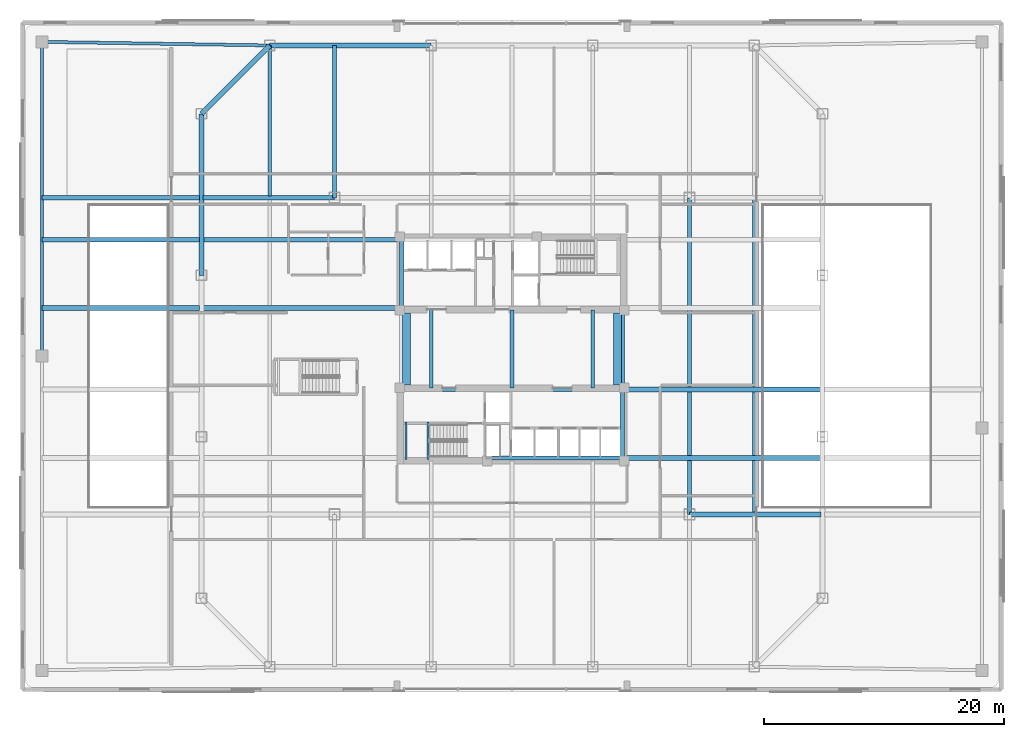
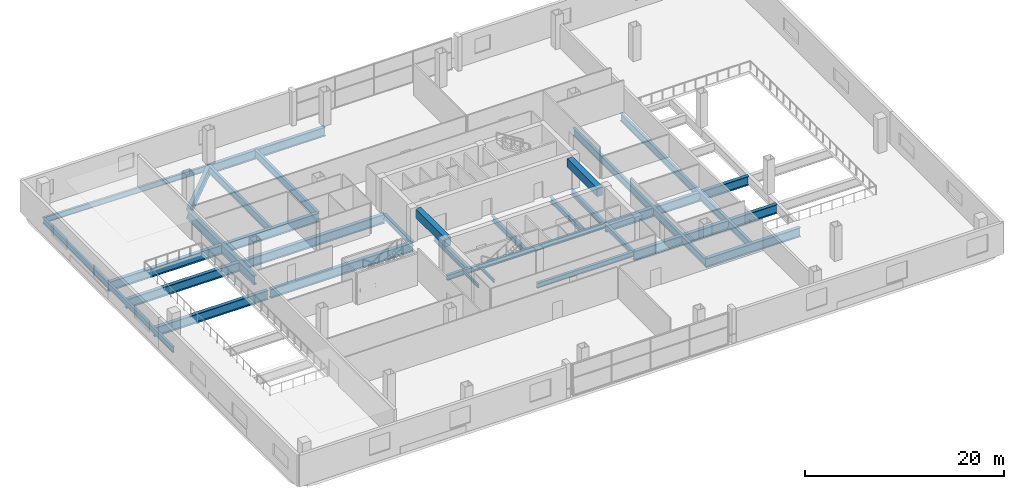
# One storey, part 7 of 21: 30 beams.
"""IFC4 building model written with IfcOpenShell, lengths in metres."""

from ifc_helpers import new_model, si_unit, direction, frame, origin, origin_2d, place, context, subcontext, project, spatial, rectangle, i_section, extrude, material, material_profile, profile_set, type_object, element, save


model = new_model("IFC4")

# Units and contexts
model_context = context("Model", 3, precision=1e-05, world=origin(), true_north=direction((0.0, 1.0)))
body_context = subcontext(model_context, "Body", "Model", "MODEL_VIEW")
ifc_project = project(units=[si_unit("LENGTHUNIT", "METRE"), si_unit("AREAUNIT", "SQUARE_METRE"), si_unit("VOLUMEUNIT", "CUBIC_METRE"), si_unit("PLANEANGLEUNIT", "RADIAN"), si_unit("MASSUNIT", "GRAM", prefix="KILO")], contexts=[model_context])

# Site, building, storey
site_placement = place(None, origin())
site = spatial("IfcSite", under=ifc_project, at=site_placement, CompositionType="ELEMENT")
building_placement = place(site_placement, origin())
building = spatial("IfcBuilding", under=site, at=building_placement, Name="Qhalaya Broadcast Tower", CompositionType="ELEMENT")
storey_placement = place(building_placement, frame((0.0, 0.0, 9.300048828125)))
storey = spatial("IfcBuildingStorey", under=building, at=storey_placement, Name="L02", CompositionType="ELEMENT", Elevation=9.300048828125)

# Beams
ifc_material_1 = material(Name="Structural Steel ASTM A992 Grade 50", Category="steel")
ifc_material_profile_1 = material_profile(ifc_material_1, i_section(OverallWidth=0.323974609375, OverallDepth=0.612060546875, WebThickness=0.0126953125, FlangeThickness=0.01904296875, at=origin_2d()), Name="W24X104")
ifc_profile_set_1 = profile_set([ifc_material_profile_1], Name="Structural Steel ASTM A992 Grade 50")
beam_type_1 = type_object("IfcBeamType", Name="Core Frame Tie Beam B04", PredefinedType="BEAM", material=ifc_profile_set_1)
beam_1_placement = place(storey_placement, frame((-9.199951171875, 4.0, -0.6259765625), z_axis=(0.0, 1.0, 0.0), x_axis=(-1.0, 0.0, 0.0)))
element("IfcBeam", 1, at=beam_1_placement, inside=storey, type_object=beam_type_1, Name="L02 B04 L02-CCN2", PredefinedType="BEAM", context=body_context, shape_type="SweptSolid", body=[
    extrude(i_section(OverallWidth=0.323974609375, OverallDepth=0.612060546875, WebThickness=0.0126953125, FlangeThickness=0.01904296875, at=origin_2d()), origin(), (0.0, 0.0, 1.0), 5.699951171875),
])
beam_2_placement = place(storey_placement, frame((-9.199951171875, -2.800048828125, -0.6259765625), z_axis=(1.0, 0.0, 0.0), x_axis=(0.0, 1.0, 0.0)))
element("IfcBeam", 2, at=beam_2_placement, inside=storey, type_object=beam_type_1, Name="L02 B04 L02-CCS1", PredefinedType="BEAM", context=body_context, shape_type="SweptSolid", body=[
    extrude(i_section(OverallWidth=0.323974609375, OverallDepth=0.612060546875, WebThickness=0.0126953125, FlangeThickness=0.01904296875, at=origin_2d()), origin(), (0.0, 0.0, 1.0), 18.39990234375),
])
beam_3_placement = place(storey_placement, frame((9.199951171875, -8.5, -0.6259765625), z_axis=(0.0, 1.0, 0.0), x_axis=(-1.0, 0.0, 0.0)))
element("IfcBeam", 3, at=beam_3_placement, inside=storey, type_object=beam_type_1, Name="L02 B04 L02-CCS2", PredefinedType="BEAM", context=body_context, shape_type="SweptSolid", body=[
    extrude(i_section(OverallWidth=0.323974609375, OverallDepth=0.612060546875, WebThickness=0.0126953125, FlangeThickness=0.01904296875, at=origin_2d()), origin(), (0.0, 0.0, 1.0), 5.699951171875),
])
beam_4_placement = place(storey_placement, frame((-2.050048828125, -8.5, -0.6259765625), z_axis=(1.0, 0.0, 0.0), x_axis=(0.0, 1.0, 0.0)))
element("IfcBeam", 4, at=beam_4_placement, inside=storey, type_object=beam_type_1, Name="L02 B04 L02-CCS3", PredefinedType="BEAM", context=body_context, shape_type="SweptSolid", body=[
    extrude(i_section(OverallWidth=0.323974609375, OverallDepth=0.612060546875, WebThickness=0.0126953125, FlangeThickness=0.01904296875, at=origin_2d()), origin(), (0.0, 0.0, 1.0), 11.25),
])
beam_5_placement = place(storey_placement, frame((9.199951171875, -2.800048828125, -0.6259765625), z_axis=(0.0, 1.0, 0.0), x_axis=(-1.0, 0.0, 0.0)))
element("IfcBeam", 5, at=beam_5_placement, inside=storey, type_object=beam_type_1, Name="L02 B04 L02-CCE", PredefinedType="BEAM", context=body_context, shape_type="SweptSolid", body=[
    extrude(i_section(OverallWidth=0.323974609375, OverallDepth=0.612060546875, WebThickness=0.0126953125, FlangeThickness=0.01904296875, at=origin_2d()), origin(), (0.0, 0.0, 1.0), 6.800048828125),
])
for number, where, z_axis, x_axis, name in (
    (6, (-6.7333984375, -2.64990234375, -0.6259765625), (0.0, 1.0, 0.0), (-1.0, 0.0, 0.0), "L02 B04 L02-JS-CM-6.7"),
    (7, (0.0, -2.64990234375, -0.6259765625), (0.0, 1.0, 0.0), (-1.0, 0.0, 0.0), "L02 B04 L02-JS-CM+0.0"),
    (8, (6.7333984375, -2.64990234375, -0.6259765625), (0.0, 1.0, 0.0), (-1.0, 0.0, 0.0), "L02 B04 L02-JS-CM+6.7"),
):
    element("IfcBeam", number, at=place(storey_placement, frame(where, z_axis=z_axis, x_axis=x_axis)), inside=storey, type_object=beam_type_1, Name=name, PredefinedType="BEAM", context=body_context, shape_type="SweptSolid", body=[
        extrude(i_section(OverallWidth=0.323974609375, OverallDepth=0.612060546875, WebThickness=0.0126953125, FlangeThickness=0.01904296875, at=origin_2d()), origin(), (0.0, 0.0, 1.0), 6.5),
    ])
ifc_material_profile_2 = material_profile(ifc_material_1, i_section(OverallWidth=0.306884765625, OverallDepth=0.927001953125, WebThickness=0.019287109375, FlangeThickness=0.031982421875, at=origin_2d()), Name="W36X194")
ifc_profile_set_2 = profile_set([ifc_material_profile_2], Name="Structural Steel ASTM A992 Grade 50")
beam_type_2 = type_object("IfcBeamType", Name="Heavy Studio Floor Beam B01", PredefinedType="BEAM", material=ifc_profile_set_2)
beam_6_placement = place(storey_placement, frame((-20.199951171875, 13.340087890625, -0.783447265625), z_axis=(0.0, 1.0, 0.0), x_axis=(-1.0, 0.0, 0.0)))
element("IfcBeam", 9, at=beam_6_placement, inside=storey, type_object=beam_type_2, Name="L02 B01 L02-JS-N-20.2", PredefinedType="BEAM", context=body_context, shape_type="SweptSolid", body=[
    extrude(i_section(OverallWidth=0.306884765625, OverallDepth=0.927001953125, WebThickness=0.019287109375, FlangeThickness=0.031982421875, at=origin_2d()), origin(), (0.0, 0.0, 1.0), 12.559814453125),
])
beam_7_placement = place(storey_placement, frame((-14.800048828125, 13.199951171875, -0.783447265625), z_axis=(0.0, 1.0, 0.0), x_axis=(-1.0, 0.0, 0.0)))
element("IfcBeam", 10, at=beam_7_placement, inside=storey, type_object=beam_type_2, Name="L02 B01 L02-JS-N-14.8", PredefinedType="BEAM", context=body_context, shape_type="SweptSolid", body=[
    extrude(i_section(OverallWidth=0.306884765625, OverallDepth=0.927001953125, WebThickness=0.019287109375, FlangeThickness=0.031982421875, at=origin_2d()), origin(), (0.0, 0.0, 1.0), 12.699951171875),
])
beam_8_placement = place(storey_placement, frame((14.800048828125, -13.199951171875, -0.783447265625), z_axis=(0.0, 1.0, 0.0), x_axis=(-1.0, 0.0, 0.0)))
element("IfcBeam", 11, at=beam_8_placement, inside=storey, type_object=beam_type_2, Name="L02 B01 L02-JS-M+14.8", PredefinedType="BEAM", context=body_context, shape_type="SweptSolid", body=[
    extrude(i_section(OverallWidth=0.306884765625, OverallDepth=0.927001953125, WebThickness=0.019287109375, FlangeThickness=0.031982421875, at=origin_2d()), origin(), (0.0, 0.0, 1.0), 26.39990234375),
])
beam_9_placement = place(storey_placement, frame((20.199951171875, -13.06005859375, -0.783447265625), z_axis=(0.0, 1.0, 0.0), x_axis=(-1.0, 0.0, 0.0)))
element("IfcBeam", 12, at=beam_9_placement, inside=storey, type_object=beam_type_2, Name="L02 B01 L02-JS-M+20.2", PredefinedType="BEAM", context=body_context, shape_type="SweptSolid", body=[
    extrude(i_section(OverallWidth=0.306884765625, OverallDepth=0.927001953125, WebThickness=0.019287109375, FlangeThickness=0.031982421875, at=origin_2d()), origin(), (0.0, 0.0, 1.0), 26.1201171875),
])
ifc_material_profile_3 = material_profile(ifc_material_1, i_section(OverallWidth=0.25390625, OverallDepth=0.68310546875, WebThickness=0.012451171875, FlangeThickness=0.01904296875, at=origin_2d()), Name="W27X94")
ifc_profile_set_3 = profile_set([ifc_material_profile_3], Name="Structural Steel ASTM A992 Grade 50")
beam_type_3 = type_object("IfcBeamType", Name="Perimeter Ring Spandrel Beam SP1", PredefinedType="SPANDREL", material=ifc_profile_set_3)
beam_10_placement = place(storey_placement, frame((-39.199951171875, 26.199951171875, -0.66162109375), z_axis=(0.999875328998, -0.015790074776, 0.0), x_axis=(0.015790074776, 0.999875328998, 0.0)))
element("IfcBeam", 13, at=beam_10_placement, inside=storey, type_object=beam_type_3, Name="L02 SP1 L02-SP-N1", PredefinedType="SPANDREL", context=body_context, shape_type="SweptSolid", body=[
    extrude(i_section(OverallWidth=0.25390625, OverallDepth=0.68310546875, WebThickness=0.012451171875, FlangeThickness=0.01904296875, at=origin_2d()), origin(), (0.0, 0.0, 1.0), 19.00244140625),
])
beam_11_placement = place(storey_placement, frame((-39.199951171875, 0.0, -0.66162109375), z_axis=(0.0, 1.0, 0.0), x_axis=(-1.0, 0.0, 0.0)))
element("IfcBeam", 14, at=beam_11_placement, inside=storey, type_object=beam_type_3, Name="L02 SP1 L02-SP-W2", PredefinedType="SPANDREL", context=body_context, shape_type="SweptSolid", body=[
    extrude(i_section(OverallWidth=0.25390625, OverallDepth=0.68310546875, WebThickness=0.012451171875, FlangeThickness=0.01904296875, at=origin_2d()), origin(), (0.0, 0.0, 1.0), 26.199951171875),
])
ifc_material_profile_4 = material_profile(ifc_material_1, i_section(OverallWidth=0.404052734375, OverallDepth=1.117919921875, WebThickness=0.026123046875, FlangeThickness=0.044921875, at=origin_2d()), Name="W44X335")
ifc_profile_set_4 = profile_set([ifc_material_profile_4], Name="Structural Steel ASTM A992 Grade 50")
beam_type_4 = type_object("IfcBeamType", Name="Podium Long-Span Primary Girder PG1", PredefinedType="USERDEFINED", material=ifc_profile_set_4)
beam_12_placement = place(storey_placement, frame((-6.7333984375, 25.89990234375, -0.879150390625), z_axis=(-1.0, 0.0, 0.0), x_axis=(0.0, -1.0, 0.0)))
element("IfcBeam", 15, at=beam_12_placement, inside=storey, type_object=beam_type_4, Name="L02 PG1 L02-PG-R11", ObjectType="GIRDER", PredefinedType="USERDEFINED", context=body_context, shape_type="SweptSolid", body=[
    extrude(i_section(OverallWidth=0.404052734375, OverallDepth=1.117919921875, WebThickness=0.026123046875, FlangeThickness=0.044921875, at=origin_2d()), origin(), (0.0, 0.0, 1.0), 13.466552734375),
])
beam_13_placement = place(storey_placement, frame((-20.199951171875, 25.89990234375, -0.879150390625), z_axis=(-0.707106781187, -0.707106781187, 0.0), x_axis=(0.707106781187, -0.707106781187, 0.0)))
element("IfcBeam", 16, at=beam_13_placement, inside=storey, type_object=beam_type_4, Name="L02 PG1 L02-PG-R12", ObjectType="GIRDER", PredefinedType="USERDEFINED", context=body_context, shape_type="SweptSolid", body=[
    extrude(i_section(OverallWidth=0.404052734375, OverallDepth=1.117919921875, WebThickness=0.026123046875, FlangeThickness=0.044921875, at=origin_2d()), origin(), (0.0, 0.0, 1.0), 8.06103515625),
])
beam_14_placement = place(storey_placement, frame((-25.89990234375, 20.199951171875, -0.879150390625), z_axis=(0.0, -1.0, 0.0), x_axis=(1.0, 0.0, 0.0)))
element("IfcBeam", 17, at=beam_14_placement, inside=storey, type_object=beam_type_4, Name="L02 PG1 L02-PG-R13", ObjectType="GIRDER", PredefinedType="USERDEFINED", context=body_context, shape_type="SweptSolid", body=[
    extrude(i_section(OverallWidth=0.404052734375, OverallDepth=1.117919921875, WebThickness=0.026123046875, FlangeThickness=0.044921875, at=origin_2d()), origin(), (0.0, 0.0, 1.0), 13.466552734375),
])
beam_15_placement = place(storey_placement, frame((14.800048828125, -13.199951171875, -0.879150390625), z_axis=(1.0, 0.0, 0.0), x_axis=(0.0, 1.0, 0.0)))
element("IfcBeam", 18, at=beam_15_placement, inside=storey, type_object=beam_type_4, Name="L02 PG1 L02-PG-GS4", ObjectType="GIRDER", PredefinedType="USERDEFINED", context=body_context, shape_type="SweptSolid", body=[
    extrude(i_section(OverallWidth=0.404052734375, OverallDepth=1.117919921875, WebThickness=0.026123046875, FlangeThickness=0.044921875, at=origin_2d()), origin(), (0.0, 0.0, 1.0), 10.9599609375),
])
beam_16_placement = place(storey_placement, frame((-39.199951171875, 13.199951171875, -0.879150390625), z_axis=(1.0, 0.0, 0.0), x_axis=(0.0, 1.0, 0.0)))
element("IfcBeam", 19, at=beam_16_placement, inside=storey, type_object=beam_type_4, Name="L02 PG1 L02-PG-GN1", ObjectType="GIRDER", PredefinedType="USERDEFINED", context=body_context, shape_type="SweptSolid", body=[
    extrude(i_section(OverallWidth=0.404052734375, OverallDepth=1.117919921875, WebThickness=0.026123046875, FlangeThickness=0.044921875, at=origin_2d()), origin(), (0.0, 0.0, 1.0), 13.159912109375),
])
beam_17_placement = place(storey_placement, frame((-25.760009765625, 13.199951171875, -0.879150390625), z_axis=(1.0, 0.0, 0.0), x_axis=(0.0, 1.0, 0.0)))
element("IfcBeam", 20, at=beam_17_placement, inside=storey, type_object=beam_type_4, Name="L02 PG1 L02-PG-GN2", ObjectType="GIRDER", PredefinedType="USERDEFINED", context=body_context, shape_type="SweptSolid", body=[
    extrude(i_section(OverallWidth=0.404052734375, OverallDepth=1.117919921875, WebThickness=0.026123046875, FlangeThickness=0.044921875, at=origin_2d()), origin(), (0.0, 0.0, 1.0), 10.9599609375),
])
for number, where, z_axis, x_axis, name in (
    (21, (9.199951171875, -8.5, -0.879150390625), (1.0, 0.0, 0.0), (0.0, 1.0, 0.0), "L02 PG1 L02-PG-E1A"),
    (22, (9.199951171875, -2.800048828125, -0.879150390625), (1.0, 0.0, 0.0), (0.0, 1.0, 0.0), "L02 PG1 L02-PG-E2A"),
):
    element("IfcBeam", number, at=place(storey_placement, frame(where, z_axis=z_axis, x_axis=x_axis)), inside=storey, type_object=beam_type_4, Name=name, ObjectType="GIRDER", PredefinedType="USERDEFINED", context=body_context, shape_type="SweptSolid", body=[
        extrude(i_section(OverallWidth=0.404052734375, OverallDepth=1.117919921875, WebThickness=0.026123046875, FlangeThickness=0.044921875, at=origin_2d()), origin(), (0.0, 0.0, 1.0), 16.56005859375),
    ])
beam_18_placement = place(storey_placement, frame((-39.199951171875, 4.0, -0.879150390625), z_axis=(1.0, 0.0, 0.0), x_axis=(0.0, 1.0, 0.0)))
element("IfcBeam", 23, at=beam_18_placement, inside=storey, type_object=beam_type_4, Name="L02 PG1 L02-PG-W3A", ObjectType="GIRDER", PredefinedType="USERDEFINED", context=body_context, shape_type="SweptSolid", body=[
    extrude(i_section(OverallWidth=0.404052734375, OverallDepth=1.117919921875, WebThickness=0.026123046875, FlangeThickness=0.044921875, at=origin_2d()), origin(), (0.0, 0.0, 1.0), 13.159912109375),
])
beam_19_placement = place(storey_placement, frame((-25.760009765625, 4.0, -0.879150390625), z_axis=(1.0, 0.0, 0.0), x_axis=(0.0, 1.0, 0.0)))
element("IfcBeam", 24, at=beam_19_placement, inside=storey, type_object=beam_type_4, Name="L02 PG1 L02-PG-W3B", ObjectType="GIRDER", PredefinedType="USERDEFINED", context=body_context, shape_type="SweptSolid", body=[
    extrude(i_section(OverallWidth=0.404052734375, OverallDepth=1.117919921875, WebThickness=0.026123046875, FlangeThickness=0.044921875, at=origin_2d()), origin(), (0.0, 0.0, 1.0), 16.56005859375),
])
beam_20_placement = place(storey_placement, frame((-39.199951171875, 9.699951171875, -0.879150390625), z_axis=(1.0, 0.0, 0.0), x_axis=(0.0, 1.0, 0.0)))
element("IfcBeam", 25, at=beam_20_placement, inside=storey, type_object=beam_type_4, Name="L02 PG1 L02-PG-W4A", ObjectType="GIRDER", PredefinedType="USERDEFINED", context=body_context, shape_type="SweptSolid", body=[
    extrude(i_section(OverallWidth=0.404052734375, OverallDepth=1.117919921875, WebThickness=0.026123046875, FlangeThickness=0.044921875, at=origin_2d()), origin(), (0.0, 0.0, 1.0), 13.159912109375),
])
beam_21_placement = place(storey_placement, frame((-25.760009765625, 9.699951171875, -0.879150390625), z_axis=(1.0, 0.0, 0.0), x_axis=(0.0, 1.0, 0.0)))
element("IfcBeam", 26, at=beam_21_placement, inside=storey, type_object=beam_type_4, Name="L02 PG1 L02-PG-W4B", ObjectType="GIRDER", PredefinedType="USERDEFINED", context=body_context, shape_type="SweptSolid", body=[
    extrude(i_section(OverallWidth=0.404052734375, OverallDepth=1.117919921875, WebThickness=0.026123046875, FlangeThickness=0.044921875, at=origin_2d()), origin(), (0.0, 0.0, 1.0), 16.56005859375),
])
ifc_material_2 = material(Name="Concrete C60/75", Category="concrete")
ifc_material_profile_5 = material_profile(ifc_material_2, rectangle(XDim=0.64990234375, YDim=1.050048828125, at=origin_2d()), Name="RC-CB 650x1050")
ifc_profile_set_5 = profile_set([ifc_material_profile_5], Name="Concrete C60/75")
beam_type_5 = type_object("IfcBeamType", Name="Split-Core RC Coupling Lintel CB1", PredefinedType="LINTEL", material=ifc_profile_set_5)
for number, where, z_axis, x_axis, name in (
    (27, (-8.800048828125, -2.39990234375, 3.35498046875), (0.0, 1.0, 0.0), (-1.0, 0.0, 0.0), "L02 Core Coupling Lintel Beam W"),
    (28, (8.800048828125, -2.39990234375, 3.35498046875), (0.0, 1.0, 0.0), (-1.0, 0.0, 0.0), "L02 Core Coupling Lintel Beam E"),
):
    element("IfcBeam", number, at=place(storey_placement, frame(where, z_axis=z_axis, x_axis=x_axis)), inside=storey, type_object=beam_type_5, Name=name, PredefinedType="LINTEL", context=body_context, shape_type="SweptSolid", body=[
        extrude(rectangle(XDim=0.64990234375, YDim=1.050048828125, at=origin_2d()), origin(), (0.0, 0.0, 1.0), 6.0),
    ])
ifc_material_profile_6 = material_profile(ifc_material_1, i_section(OverallWidth=0.177978515625, OverallDepth=0.406005859375, WebThickness=0.0078125, FlangeThickness=0.0126953125, at=origin_2d()), Name="W16X40")
ifc_profile_set_6 = profile_set([ifc_material_profile_6], Name="Structural Steel ASTM A992 Grade 50")
beam_type_6 = type_object("IfcBeamType", Name="Upper Perimeter Spandrel Beam SP2", PredefinedType="SPANDREL", material=ifc_profile_set_6)
for number, where, z_axis, x_axis, name in (
    (29, (-8.830078125, -8.6201171875, 1.697021484375), (0.0, 1.0, 0.0), (-1.0, 0.0, 0.0), "L02 ST-2 Half-Landing Bearer Beam 1"),
    (30, (-7.014892578125, -8.6201171875, 1.697021484375), (0.0, 1.0, 0.0), (-1.0, 0.0, 0.0), "L02 ST-2 Half-Landing Bearer Beam 2"),
):
    element("IfcBeam", number, at=place(storey_placement, frame(where, z_axis=z_axis, x_axis=x_axis)), inside=storey, type_object=beam_type_6, Name=name, PredefinedType="SPANDREL", context=body_context, shape_type="SweptSolid", body=[
        extrude(i_section(OverallWidth=0.177978515625, OverallDepth=0.406005859375, WebThickness=0.0078125, FlangeThickness=0.0126953125, at=origin_2d()), origin(), (0.0, 0.0, 1.0), 3.1201171875),
    ])

save(model, "model.ifc")
